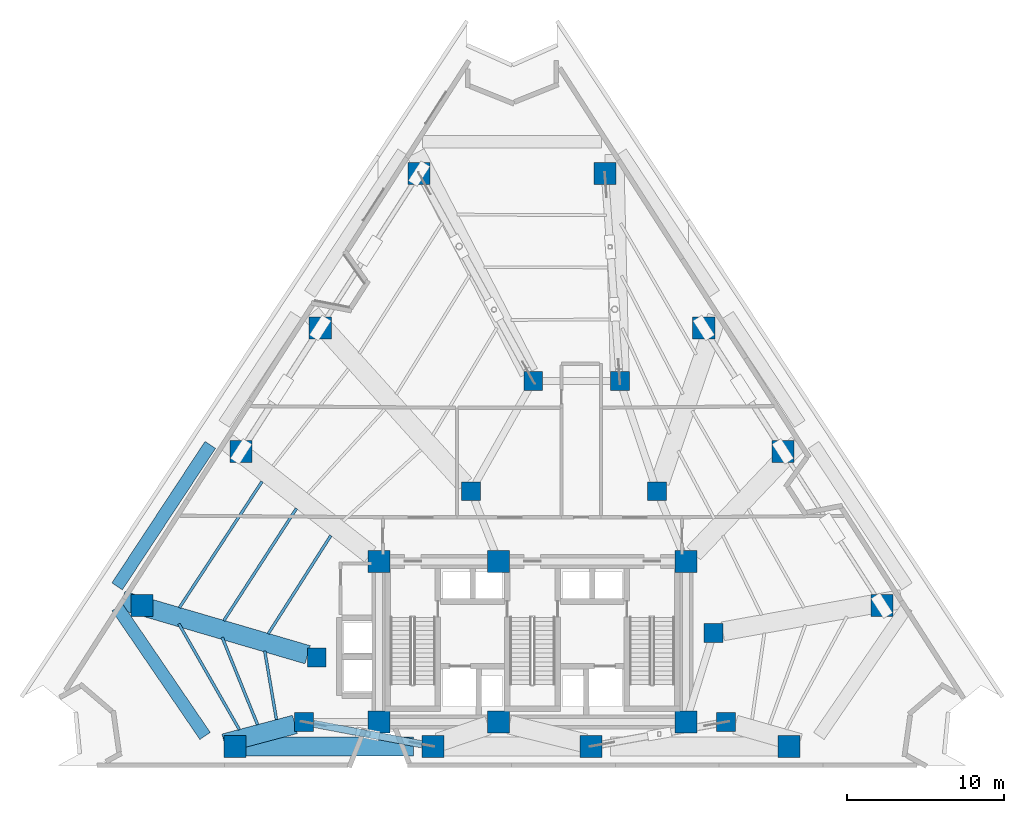
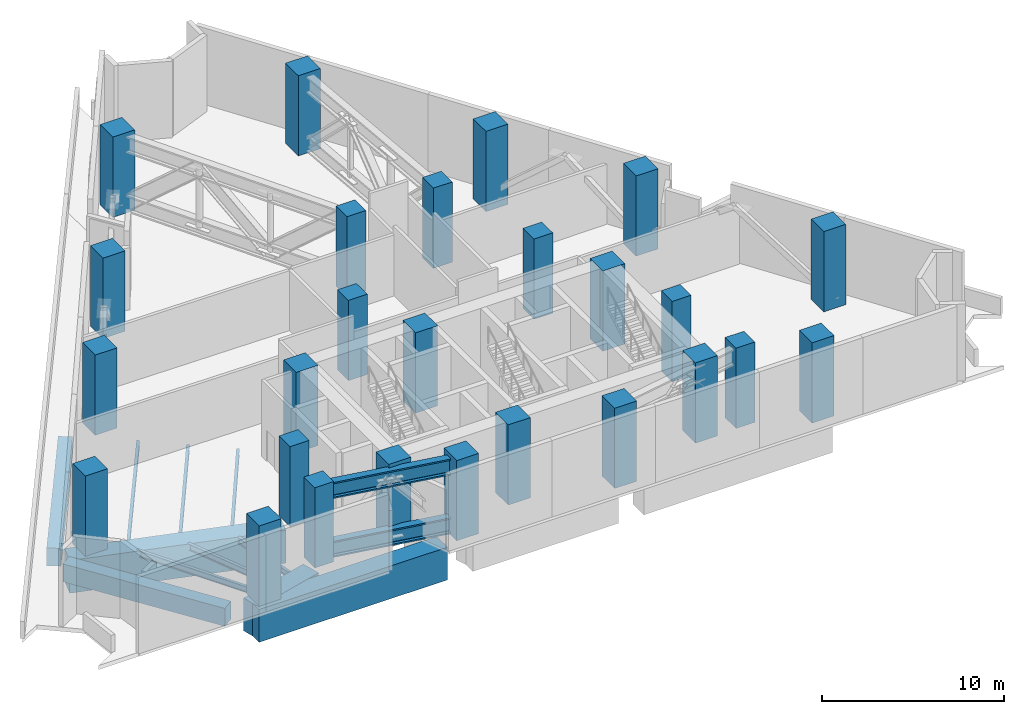
# One storey, part 1 of 12: 26 columns, 13 beams.
"""IFC4 building model written with IfcOpenShell, lengths in metres."""

from ifc_helpers import new_model, si_unit, direction, frame, origin, origin_2d, place, context, subcontext, project, spatial, rectangle, i_section, extrude, material, material_profile, profile_set, type_object, element, save


model = new_model("IFC4")

# Units and contexts
model_context = context("Model", 3, precision=1e-05, world=origin(), true_north=direction((0.0, 1.0)))
body_context = subcontext(model_context, "Body", "Model", "MODEL_VIEW")
ifc_project = project(units=[si_unit("LENGTHUNIT", "METRE"), si_unit("AREAUNIT", "SQUARE_METRE"), si_unit("VOLUMEUNIT", "CUBIC_METRE"), si_unit("PLANEANGLEUNIT", "RADIAN"), si_unit("MASSUNIT", "GRAM", prefix="KILO")], contexts=[model_context])

# Site, building, storey
site_placement = place(None, origin())
site = spatial("IfcSite", under=ifc_project, at=site_placement, CompositionType="ELEMENT")
building_placement = place(site_placement, origin())
building = spatial("IfcBuilding", under=site, at=building_placement, Name="Almagre Mirador Tower", CompositionType="ELEMENT")
storey_placement = place(building_placement, frame((0.0, 0.0, 26.39990234375)))
storey = spatial("IfcBuildingStorey", under=building, at=storey_placement, Name="L05", CompositionType="ELEMENT", Elevation=26.39990234375)

# Columns
ifc_material_1 = material(Name="Concrete C60/75", Category="concrete")
ifc_material_profile_1 = material_profile(ifc_material_1, rectangle(XDim=1.199951171875, YDim=1.199951171875, at=origin_2d()), Name="RC1200X1200")
ifc_profile_set_1 = profile_set([ifc_material_profile_1], Name="Concrete C60/75")
column_type_1 = type_object("IfcColumnType", Name="COL-RC1200", PredefinedType="COLUMN", material=ifc_profile_set_1)
for number, where, z_axis, x_axis, name in (
    (1, (22.800048828125, 4.550048828125, 0.0), (0.0, 0.0, 1.0), (1.0, 0.0, 0.0), "L05 interior transfer column MC1"),
    (2, (49.60009765625, 4.550048828125, 0.0), (0.0, 0.0, 1.0), (1.0, 0.0, 0.0), "L05 interior transfer column MC2"),
    (3, (48.800048828125, 10.199951171875, 0.0), (0.0, 0.0, 1.0), (1.0, 0.0, 0.0), "L05 interior transfer column MC3"),
    (4, (45.199951171875, 19.199951171875, 0.0), (0.0, 0.0, 1.0), (1.0, 0.0, 0.0), "L05 interior transfer column MC5"),
    (5, (42.85009765625, 26.199951171875, 0.0), (0.0, 0.0, 1.0), (1.0, 0.0, 0.0), "L05 interior transfer column MC6"),
    (6, (37.35009765625, 26.199951171875, 0.0), (0.0, 0.0, 1.0), (1.0, 0.0, 0.0), "L05 interior transfer column MC7"),
    (7, (33.39990234375, 19.199951171875, 0.0), (0.0, 0.0, 1.0), (1.0, 0.0, 0.0), "L05 interior transfer column MC8"),
    (8, (23.60009765625, 8.64990234375, 0.0), (0.0, 0.0, 1.0), (1.0, 0.0, 0.0), "L05 interior transfer column MC10"),
):
    element("IfcColumn", number, at=place(storey_placement, frame(where, z_axis=z_axis, x_axis=x_axis)), inside=storey, type_object=column_type_1, Name=name, PredefinedType="COLUMN", context=body_context, shape_type="SweptSolid", body=[
        extrude(rectangle(XDim=1.199951171875, YDim=1.199951171875, at=origin_2d()), origin(), (0.0, 0.0, 1.0), 5.400146484375),
    ])
ifc_material_2 = material(Name="Concrete C60/75", Category="concrete")
ifc_material_profile_2 = material_profile(ifc_material_2, rectangle(XDim=1.39990234375, YDim=1.39990234375, at=origin_2d()), Name="RC1400X1400")
ifc_profile_set_2 = profile_set([ifc_material_profile_2], Name="Concrete C60/75")
column_type_2 = type_object("IfcColumnType", Name="COL-RC1400", PredefinedType="COLUMN", material=ifc_profile_set_2)
for number, where, z_axis, x_axis, name in (
    (9, (27.550048828125, 4.550048828125, 0.0), (0.0, 0.0, 1.0), (1.0, 0.0, 0.0), "L05 core spine column CC1"),
    (10, (35.14990234375, 4.550048828125, 0.0), (0.0, 0.0, 1.0), (1.0, 0.0, 0.0), "L05 core spine column CC2"),
    (11, (47.050048828125, 4.550048828125, 0.0), (0.0, 0.0, 1.0), (1.0, 0.0, 0.0), "L05 core spine column CC3"),
    (12, (27.550048828125, 14.75, 0.0), (0.0, 0.0, 1.0), (1.0, 0.0, 0.0), "L05 core spine column CC4"),
    (13, (35.14990234375, 14.75, 0.0), (0.0, 0.0, 1.0), (1.0, 0.0, 0.0), "L05 core spine column CC5"),
    (14, (47.050048828125, 14.75, 0.0), (0.0, 0.0, 1.0), (1.0, 0.0, 0.0), "L05 core spine column CC6"),
    (15, (18.416015625, 3.0, 0.0), (0.0, 0.0, 1.0), (1.0, 0.0, 0.0), "L05 perimeter column PC01"),
    (16, (30.97607421875, 3.0, 0.0), (0.0, 0.0, 1.0), (1.0, 0.0, 0.0), "L05 perimeter column PC02"),
    (17, (41.02392578125, 3.0, 0.0), (0.0, 0.0, 1.0), (1.0, 0.0, 0.0), "L05 perimeter column PC03"),
    (18, (53.583984375, 3.0, 0.0), (0.0, 0.0, 1.0), (1.0, 0.0, 0.0), "L05 perimeter column PC04"),
    (19, (59.48193359375, 11.93310546875, 0.0), (0.0, 0.0, 1.0), (1.0, 0.0, 0.0), "L05 perimeter column PC05"),
    (20, (53.201904296875, 21.73291015625, 0.0), (0.0, 0.0, 1.0), (1.0, 0.0, 0.0), "L05 perimeter column PC06"),
    (21, (48.177978515625, 29.572998046875, 0.0), (0.0, 0.0, 1.0), (1.0, 0.0, 0.0), "L05 perimeter column PC07"),
    (22, (41.89794921875, 39.373046875, 0.0), (0.0, 0.0, 1.0), (1.0, 0.0, 0.0), "L05 perimeter column PC08"),
    (23, (30.10205078125, 39.373046875, 0.0), (0.0, 0.0, 1.0), (1.0, 0.0, 0.0), "L05 perimeter column PC09"),
    (24, (23.822021484375, 29.572998046875, 0.0), (0.0, 0.0, 1.0), (1.0, 0.0, 0.0), "L05 perimeter column PC10"),
    (25, (18.798095703125, 21.73291015625, 0.0), (0.0, 0.0, 1.0), (1.0, 0.0, 0.0), "L05 perimeter column PC11"),
    (26, (12.51806640625, 11.93310546875, 0.0), (0.0, 0.0, 1.0), (1.0, 0.0, 0.0), "L05 perimeter column PC12"),
):
    element("IfcColumn", number, at=place(storey_placement, frame(where, z_axis=z_axis, x_axis=x_axis)), inside=storey, type_object=column_type_2, Name=name, PredefinedType="COLUMN", context=body_context, shape_type="SweptSolid", body=[
        extrude(rectangle(XDim=1.39990234375, YDim=1.39990234375, at=origin_2d()), origin(), (0.0, 0.0, 1.0), 5.400146484375),
    ])

# Beams
ifc_material_3 = material(Name="Steel ASTM A992 Grade 50", Category="steel")
ifc_material_profile_3 = material_profile(ifc_material_3, i_section(OverallWidth=0.178955078125, OverallDepth=0.408935546875, WebThickness=0.0087890625, FlangeThickness=0.014404296875, FilletRadius=0.013916015625, at=origin_2d()), Name="W16X45")
ifc_profile_set_3 = profile_set([ifc_material_profile_3], Name="Steel ASTM A992 Grade 50")
beam_type_1 = type_object("IfcBeamType", Name="BM-JST-W16X45", PredefinedType="JOIST", material=ifc_profile_set_3)
beam_1_placement = place(storey_placement, frame((20.127197265625, 19.818115234375, -0.50439453125), z_axis=(-0.548079736749, -0.836426088884, 0.0), x_axis=(0.836426088884, -0.548079736749, 0.0)))
element("IfcBeam", 27, at=beam_1_placement, inside=storey, type_object=beam_type_1, Name="L05 secondary floor joist PC11-PC12.1", PredefinedType="JOIST", context=body_context, shape_type="SweptSolid", body=[
    extrude(i_section(OverallWidth=0.178955078125, OverallDepth=0.408935546875, WebThickness=0.0087890625, FlangeThickness=0.014404296875, FilletRadius=0.013916015625, at=origin_2d()), origin(), (0.0, 0.0, 1.0), 9.58203125),
])
beam_2_placement = place(storey_placement, frame((22.31103515625, 18.103759765625, -0.50439453125), z_axis=(-0.543372908502, -0.839491442664, 0.0), x_axis=(0.839491442664, -0.543372908502, 0.0)))
element("IfcBeam", 28, at=beam_2_placement, inside=storey, type_object=beam_type_1, Name="L05 secondary floor joist PC11-PC12.2", PredefinedType="JOIST", context=body_context, shape_type="SweptSolid", body=[
    extrude(i_section(OverallWidth=0.178955078125, OverallDepth=0.408935546875, WebThickness=0.0087890625, FlangeThickness=0.014404296875, FilletRadius=0.013916015625, at=origin_2d()), origin(), (0.0, 0.0, 1.0), 8.48876953125),
])
beam_3_placement = place(storey_placement, frame((24.495849609375, 16.388916015625, -0.50439453125), z_axis=(-0.537473425949, -0.843280686604, 0.0), x_axis=(0.843280686604, -0.537473425949, 0.0)))
element("IfcBeam", 29, at=beam_3_placement, inside=storey, type_object=beam_type_1, Name="L05 secondary floor joist PC11-PC12.3", PredefinedType="JOIST", context=body_context, shape_type="SweptSolid", body=[
    extrude(i_section(OverallWidth=0.178955078125, OverallDepth=0.408935546875, WebThickness=0.0087890625, FlangeThickness=0.014404296875, FilletRadius=0.013916015625, at=origin_2d()), origin(), (0.0, 0.0, 1.0), 7.39599609375),
])
beam_4_placement = place(storey_placement, frame((14.844482421875, 10.78076171875, -0.50439453125), z_axis=(0.496732939446, -0.867903443287, 0.0), x_axis=(0.867903443287, 0.496732939446, 0.0)))
element("IfcBeam", 30, at=beam_4_placement, inside=storey, type_object=beam_type_1, Name="L05 secondary floor joist PC12-PC01.1", PredefinedType="JOIST", context=body_context, shape_type="SweptSolid", body=[
    extrude(i_section(OverallWidth=0.178955078125, OverallDepth=0.408935546875, WebThickness=0.0087890625, FlangeThickness=0.014404296875, FilletRadius=0.013916015625, at=origin_2d()), origin(), (0.0, 0.0, 1.0), 7.744384765625),
])
beam_5_placement = place(storey_placement, frame((17.59765625, 9.917724609375, -0.50439453125), z_axis=(0.375508748202, -0.926818849627, 0.0), x_axis=(0.926818849627, 0.375508748202, 0.0)))
element("IfcBeam", 31, at=beam_5_placement, inside=storey, type_object=beam_type_1, Name="L05 secondary floor joist PC12-PC01.2", PredefinedType="JOIST", context=body_context, shape_type="SweptSolid", body=[
    extrude(i_section(OverallWidth=0.178955078125, OverallDepth=0.408935546875, WebThickness=0.0087890625, FlangeThickness=0.014404296875, FilletRadius=0.013916015625, at=origin_2d()), origin(), (0.0, 0.0, 1.0), 5.974365234375),
])
beam_6_placement = place(storey_placement, frame((20.29931640625, 9.0546875, -0.50439453125), z_axis=(0.168234881143, -0.985746937488, 0.0), x_axis=(0.985746937488, 0.168234881143, 0.0)))
element("IfcBeam", 32, at=beam_6_placement, inside=storey, type_object=beam_type_1, Name="L05 secondary floor joist PC12-PC01.3", PredefinedType="JOIST", context=body_context, shape_type="SweptSolid", body=[
    extrude(i_section(OverallWidth=0.178955078125, OverallDepth=0.408935546875, WebThickness=0.0087890625, FlangeThickness=0.014404296875, FilletRadius=0.013916015625, at=origin_2d()), origin(), (0.0, 0.0, 1.0), 4.416015625),
])
ifc_material_4 = material(Name="Precast concrete C50/60", Category="concrete")
ifc_material_profile_4 = material_profile(ifc_material_4, rectangle(XDim=0.800048828125, YDim=1.199951171875, at=origin_2d()), Name="RC800X1200")
ifc_profile_set_4 = profile_set([ifc_material_profile_4], Name="Precast concrete C50/60")
beam_type_2 = type_object("IfcBeamType", Name="BM-SPN-RC800X1200", PredefinedType="SPANDREL", material=ifc_profile_set_4)
beam_7_placement = place(storey_placement, frame((16.841796875, 22.14404296875, -0.89990234375), z_axis=(-0.550204417923, -0.835029998562, 0.0), x_axis=(0.835029998562, -0.550204417923, 0.0)))
element("IfcBeam", 33, at=beam_7_placement, inside=storey, type_object=beam_type_2, Name="L05 perimeter spandrel beam PC11-PC12", PredefinedType="SPANDREL", context=body_context, shape_type="SweptSolid", body=[
    extrude(rectangle(XDim=0.800048828125, YDim=1.199951171875, at=origin_2d()), origin(), (0.0, 0.0, 1.0), 10.759033203125),
])
beam_8_placement = place(storey_placement, frame((10.93310546875, 11.831298828125, -0.89990234375), z_axis=(0.563695189414, -0.825982889309, 0.0), x_axis=(0.825982889309, 0.563695189414, 0.0)))
element("IfcBeam", 34, at=beam_8_placement, inside=storey, type_object=beam_type_2, Name="L05 perimeter spandrel beam PC12-PC01", PredefinedType="SPANDREL", context=body_context, shape_type="SweptSolid", body=[
    extrude(rectangle(XDim=0.800048828125, YDim=1.199951171875, at=origin_2d()), origin(), (0.0, 0.0, 1.0), 9.891845703125),
])
ifc_material_5 = material(Name="Steel ASTM A913 Grade 65", Category="steel")
ifc_material_profile_5 = material_profile(ifc_material_5, i_section(OverallWidth=0.45703125, OverallDepth=1.0869140625, WebThickness=0.060546875, FlangeThickness=0.093994140625, FilletRadius=0.028076171875, at=origin_2d()), Name="W36X800")
ifc_profile_set_5 = profile_set([ifc_material_profile_5], Name="Steel ASTM A913 Grade 65")
beam_type_3 = type_object("IfcBeamType", Name="BM-STL-W36X800", PredefinedType="BEAM", material=ifc_profile_set_5)
for number, where, z_axis, x_axis, name in (
    (35, (30.2880859375, 3.13037109375, 0.650146484375), (-0.982499801311, 0.186263631512, 0.0), (-0.186263631512, -0.982499801311, 0.0), "L05 outrigger truss 1 bottom chord"),
    (36, (30.2880859375, 3.13037109375, 4.606689453125), (-0.982499801311, 0.186263631512, 0.0), (-0.186263631512, -0.982499801311, 0.0), "L05 outrigger truss 1 top chord"),
):
    element("IfcBeam", number, at=place(storey_placement, frame(where, z_axis=z_axis, x_axis=x_axis)), inside=storey, type_object=beam_type_3, Name=name, PredefinedType="BEAM", context=body_context, shape_type="SweptSolid", body=[
        extrude(i_section(OverallWidth=0.45703125, OverallDepth=1.0869140625, WebThickness=0.060546875, FlangeThickness=0.093994140625, FilletRadius=0.028076171875, at=origin_2d()), origin(), (0.0, 0.0, 1.0), 7.021484375),
    ])
ifc_material_6 = material(Name="Concrete C60/75", Category="concrete")
ifc_material_profile_6 = material_profile(ifc_material_6, rectangle(XDim=1.199951171875, YDim=2.199951171875, at=origin_2d()), Name="RC1200X2200")
ifc_profile_set_6 = profile_set([ifc_material_profile_6], Name="Concrete C60/75")
beam_type_4 = type_object("IfcBeamType", Name="BM-XFER-RC1200X2200", PredefinedType="BEAM", material=ifc_profile_set_6)
beam_9_placement = place(storey_placement, frame((17.760009765625, 3.0, -1.39990234375), z_axis=(1.0, 0.0, 0.0), x_axis=(0.0, 1.0, 0.0)))
element("IfcBeam", 37, at=beam_9_placement, inside=storey, type_object=beam_type_4, Name="L05 perimeter spandrel beam PC01-PC02", PredefinedType="BEAM", context=body_context, shape_type="SweptSolid", body=[
    extrude(rectangle(XDim=1.199951171875, YDim=2.199951171875, at=origin_2d()), origin(), (0.0, 0.0, 1.0), 12.0),
])
beam_10_placement = place(storey_placement, frame((17.733154296875, 3.205078125, -1.39990234375), z_axis=(0.966536281721, 0.256529951697, 0.0), x_axis=(-0.256529951697, 0.966536281721, 0.0)))
element("IfcBeam", 38, at=beam_10_placement, inside=storey, type_object=beam_type_4, Name="L05 radial transfer girder PC01-MC1", PredefinedType="BEAM", context=body_context, shape_type="SweptSolid", body=[
    extrude(rectangle(XDim=1.199951171875, YDim=2.199951171875, at=origin_2d()), origin(), (0.0, 0.0, 1.0), 4.642333984375),
])
beam_11_placement = place(storey_placement, frame((11.249755859375, 12.26708984375, -1.39990234375), z_axis=(0.959686493559, -0.281072649115, 0.0), x_axis=(0.281072649115, 0.959686493559, 0.0)))
element("IfcBeam", 39, at=beam_11_placement, inside=storey, type_object=beam_type_4, Name="L05 radial transfer girder PC12-MC10", PredefinedType="BEAM", context=body_context, shape_type="SweptSolid", body=[
    extrude(rectangle(XDim=1.199951171875, YDim=2.199951171875, at=origin_2d()), origin(), (0.0, 0.0, 1.0), 12.26904296875),
])

save(model, "model.ifc")
